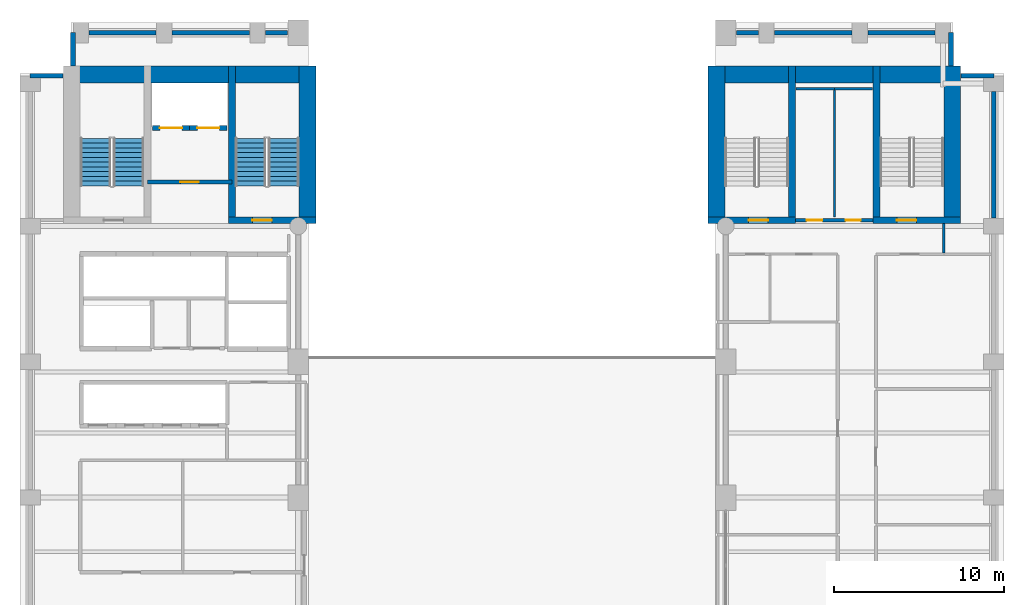
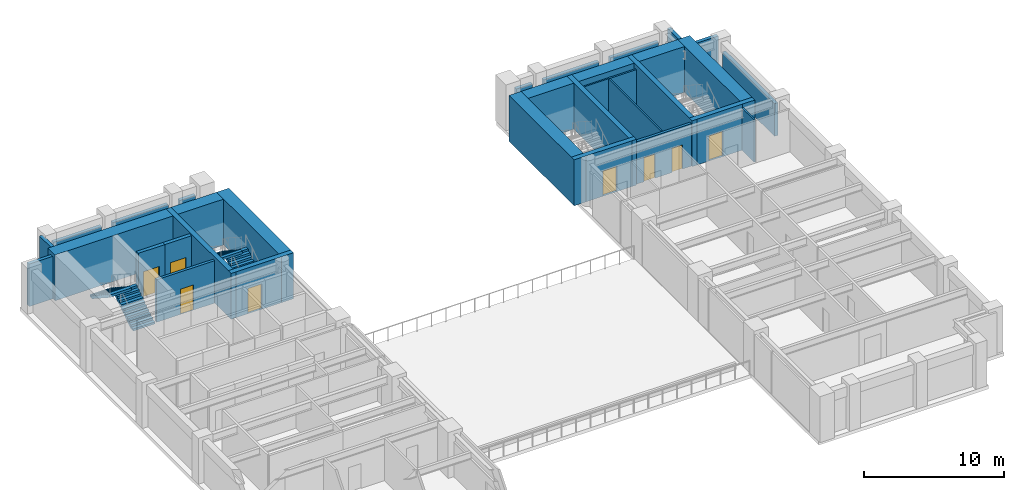
# One storey, part 6 of 10: 30 walls, 8 doors, 4 stair flights, 8 openings, 2 elements without a shape of their own.
"""IFC4 building model written with IfcOpenShell, lengths in metres."""

import ifcopenshell
import ifcopenshell.guid

model = None  # the IFC model being written
_history = None  # IfcOwnerHistory: only IFC2X3 demands one
_inside = {}  # id of a spatial element -> (the spatial element, [elements in it])
_under = {}  # id of a project, library or spatial element -> (it, [spatial elements below it])
_declared = {}  # id of a project -> (the project, [libraries it declares])
_typed = {}  # id of a type object -> (the type object, [elements of that type])
_made_of = {}  # id of a material, layer set ... -> (it, [elements and type objects made of it])


def new_model(schema):
    """Start an empty IFC model of exactly this schema.

    Asked for "IFC4X3", IfcOpenShell would pick the latest addendum, in which some entities
    have other attributes; the version numbers below select the first issue.
    IFC2X3 requires an IfcOwnerHistory on every rooted entity: one is made here for all.
    """
    global model, _history
    if schema == "IFC4X3":
        model = ifcopenshell.file(schema_version=(4, 3, 0, 0))
    else:
        model = ifcopenshell.file(schema=schema)
    _inside.clear()
    _under.clear()
    _declared.clear()
    _typed.clear()
    _made_of.clear()
    _history = None
    if model.schema == "IFC2X3":
        org = make("IfcOrganization", Name="unknown")
        user = make(
            "IfcPersonAndOrganization",
            ThePerson=make("IfcPerson", FamilyName="unknown"),
            TheOrganization=org,
        )
        app = make(
            "IfcApplication",
            ApplicationDeveloper=org,
            Version="unknown",
            ApplicationFullName="unknown",
            ApplicationIdentifier="unknown",
        )
        _history = make(
            "IfcOwnerHistory",
            OwningUser=user,
            OwningApplication=app,
            ChangeAction="ADDED",
            CreationDate=0,
        )
    return model


def make(cls, **values):
    """One entity of the class cls with the attributes given. An attribute that is None is left unset."""
    return model.create_entity(
        cls, **{name: value for name, value in values.items() if value is not None}
    )


def rooted(cls, **values):
    """An entity with a GlobalId (a new one), such as an element, a storey or a relation."""
    return make(cls, GlobalId=ifcopenshell.guid.new(), OwnerHistory=_history, **values)


def si_unit(unit_type, name, prefix=None):
    """IfcSIUnit, for example si_unit("LENGTHUNIT", "METRE", prefix="MILLI")."""
    return make("IfcSIUnit", UnitType=unit_type, Prefix=prefix, Name=name)


def assignment(units):
    """IfcUnitAssignment: the units of a project."""
    return None if units is None else make("IfcUnitAssignment", Units=units)


def point(xyz):
    """IfcCartesianPoint."""
    return None if xyz is None else make("IfcCartesianPoint", Coordinates=xyz)


def direction(xyz):
    """IfcDirection."""
    return None if xyz is None else make("IfcDirection", DirectionRatios=xyz)


def frame(location, z_axis=None, x_axis=None):
    """IfcAxis2Placement3D, a coordinate frame: its origin and axes. An axis left out is left unset."""
    return make(
        "IfcAxis2Placement3D",
        Location=point(location),
        Axis=direction(z_axis),
        RefDirection=direction(x_axis),
    )


def frame_2d(location, x_axis=None):
    """IfcAxis2Placement2D, a coordinate frame in the plane: its origin and x axis."""
    return make(
        "IfcAxis2Placement2D", Location=point(location), RefDirection=direction(x_axis)
    )


def origin():
    """The frame at (0, 0, 0) with its axes left unset."""
    return frame((0.0, 0.0, 0.0))


def place(relative_to, where):
    """IfcLocalPlacement: puts the frame where relative to a parent placement (None: the world)."""
    return make(
        "IfcLocalPlacement", PlacementRelTo=relative_to, RelativePlacement=where
    )


def context(
    kind, dimensions, precision=None, world=None, true_north=None, identifier=None
):
    """IfcGeometricRepresentationContext, for example the 3D "Model" context."""
    return make(
        "IfcGeometricRepresentationContext",
        ContextIdentifier=identifier,
        ContextType=kind,
        CoordinateSpaceDimension=dimensions,
        Precision=precision,
        WorldCoordinateSystem=world,
        TrueNorth=true_north,
    )


def subcontext(parent, identifier, kind, view, scale=None):
    """IfcGeometricRepresentationSubContext, for example "Body" below "Model"."""
    return make(
        "IfcGeometricRepresentationSubContext",
        ContextIdentifier=identifier,
        ContextType=kind,
        ParentContext=parent,
        TargetScale=scale,
        TargetView=view,
    )


def project(units=None, contexts=None):
    """IfcProject with its units and contexts."""
    return rooted(
        "IfcProject",
        Name="project",
        RepresentationContexts=contexts,
        UnitsInContext=assignment(units),
    )


def spatial(cls, under=None, at=None, **own):
    """A site, building, storey or space (cls), placed at a placement, below another one or the project."""
    s = rooted(cls, ObjectPlacement=at, **own)
    if under is not None:
        _under.setdefault(under.id(), (under, []))[1].append(s)
    return s


def polyline(points):
    """IfcPolyline through the points."""
    return make("IfcPolyline", Points=[point(p) for p in points])


def profile(cls, at=None, kind="AREA", **sizes):
    """A parametric profile (cls). Its sizes go by their IFC names, for example OverallWidth=200.0."""
    return make(cls, ProfileType=kind, Position=at, **sizes)


def rectangle(**sizes):
    """IfcRectangleProfileDef."""
    return profile("IfcRectangleProfileDef", **sizes)


def outline(outer, holes=None, kind="AREA"):
    """IfcArbitraryClosedProfileDef: a profile drawn as a closed curve; with holes, ...WithVoids."""
    if holes is None:
        return make("IfcArbitraryClosedProfileDef", ProfileType=kind, OuterCurve=outer)
    return make(
        "IfcArbitraryProfileDefWithVoids",
        ProfileType=kind,
        OuterCurve=outer,
        InnerCurves=holes,
    )


def extrude(swept, where, along, depth):
    """IfcExtrudedAreaSolid: the profile swept, set in the frame where, extruded along a direction by depth."""
    return make(
        "IfcExtrudedAreaSolid",
        SweptArea=swept,
        Position=where,
        ExtrudedDirection=direction(along),
        Depth=depth,
    )


def shape(context_of_items, identifier, shape_type, items):
    """IfcShapeRepresentation: the items that make up one representation, for example the "Body"."""
    return make(
        "IfcShapeRepresentation",
        ContextOfItems=context_of_items,
        RepresentationIdentifier=identifier,
        RepresentationType=shape_type,
        Items=items,
    )


def material(Name=None, Category=None):
    """IfcMaterial."""
    return make("IfcMaterial", Name=Name, Category=Category)


def layer(
    of_material, thickness, ventilated=None, Name=None, Category=None, Priority=None
):
    """IfcMaterialLayer: one layer of a wall or slab, of a material (None: an air gap)."""
    return make(
        "IfcMaterialLayer",
        Material=of_material,
        LayerThickness=thickness,
        IsVentilated=ventilated,
        Name=Name,
        Category=Category,
        Priority=Priority,
    )


def layer_set(layers, Name=None):
    """IfcMaterialLayerSet."""
    return make("IfcMaterialLayerSet", MaterialLayers=layers, LayerSetName=Name)


def made_of(thing, what):
    """Note that an element or type object is made of a material, layer set ...; save() writes the relation."""
    if what is not None:
        _made_of.setdefault(what.id(), (what, []))[1].append(thing)
    return thing


def type_object(cls, material=None, **own):
    """A type object (cls), such as IfcWallType, which elements share."""
    return made_of(rooted(cls, **own), material)


def element(
    cls,
    number,
    at=None,
    inside=None,
    cuts=None,
    type_object=None,
    material=None,
    context=None,
    identifier="Body",
    shape_type=None,
    held_by="IfcProductDefinitionShape",
    body=None,
    shapes=None,
    **own,
):
    """One element of the class cls, such as IfcWall. Its Tag is "e" and its number.

    at: its placement. inside: the storey or other place that contains it. cuts: it is an
    opening in that element (IfcRelVoidsElement). A single representation is given by context,
    identifier, shape_type and body (its items); several are given by shapes. held_by: the class
    of the entity that holds the representations. save() writes the other relations.
    """
    e = rooted(cls, Tag="e%d" % number, ObjectPlacement=at, **own)
    if body is not None:
        shapes = [shape(context, identifier, shape_type, body)]
    if shapes is not None:
        e.Representation = make(held_by, Representations=shapes)
    if inside is not None:
        _inside.setdefault(inside.id(), (inside, []))[1].append(e)
    if cuts is not None:
        rooted(
            "IfcRelVoidsElement", RelatingBuildingElement=cuts, RelatedOpeningElement=e
        )
    if type_object is not None:
        _typed.setdefault(type_object.id(), (type_object, []))[1].append(e)
    return made_of(e, material)


def fill(opening, filler):
    """IfcRelFillsElement: the door or window that sits in an opening."""
    return rooted(
        "IfcRelFillsElement",
        RelatingOpeningElement=opening,
        RelatedBuildingElement=filler,
    )


def aggregate(whole, parts):
    """IfcRelAggregates: a whole, such as a stair, and the parts it consists of."""
    return rooted("IfcRelAggregates", RelatingObject=whole, RelatedObjects=parts)


def save(model, path):
    """Write the relations noted so far, then the file.

    IfcRelAggregates (storeys below a building ...), IfcRelContainedInSpatialStructure (elements
    in a storey), IfcRelDefinesByType, IfcRelAssociatesMaterial and IfcRelDeclares: one each for
    every whole, place, type object, material and project.
    """
    for whole, parts in _under.values():
        aggregate(whole, parts)
    for where, things in _inside.values():
        rooted(
            "IfcRelContainedInSpatialStructure",
            RelatedElements=things,
            RelatingStructure=where,
        )
    for kind, things in _typed.values():
        rooted("IfcRelDefinesByType", RelatedObjects=things, RelatingType=kind)
    for what, things in _made_of.values():
        rooted("IfcRelAssociatesMaterial", RelatedObjects=things, RelatingMaterial=what)
    for by, libraries in _declared.values():
        rooted("IfcRelDeclares", RelatingContext=by, RelatedDefinitions=libraries)
    model.write(path)


model = new_model("IFC4")

# Units and contexts
model_context = context("Model", 3, precision=1e-05, world=origin(), true_north=direction((0.0, 1.0)))
body_context = subcontext(model_context, "Body", "Model", "MODEL_VIEW")
ifc_project = project(units=[si_unit("LENGTHUNIT", "METRE"), si_unit("AREAUNIT", "SQUARE_METRE"), si_unit("VOLUMEUNIT", "CUBIC_METRE"), si_unit("PLANEANGLEUNIT", "RADIAN"), si_unit("MASSUNIT", "GRAM", prefix="KILO")], contexts=[model_context])

# Site, building, storey
site_placement = place(None, origin())
site = spatial("IfcSite", under=ifc_project, at=site_placement, CompositionType="ELEMENT")
building_placement = place(site_placement, origin())
building = spatial("IfcBuilding", under=site, at=building_placement, Name="Sulina Concourse Tower", CompositionType="ELEMENT")
storey_placement = place(building_placement, frame((0.0, 0.0, 30.60009765625)))
storey = spatial("IfcBuildingStorey", under=building, at=storey_placement, Name="L07", CompositionType="ELEMENT", Elevation=30.60009765625)

# Wall, opening, door
ifc_material_1 = material(Name="Concrete C50/60", Category="concrete")
ifc_layer_1 = layer(ifc_material_1, 0.300048828125)
ifc_layer_set_1 = layer_set([ifc_layer_1], Name="Concrete C50/60")
wall_type_1 = type_object("IfcWallType", Name="Core Lift Hoistway Wall 300mm", PredefinedType="SOLIDWALL", material=ifc_layer_set_1)
wall_1_placement = place(storey_placement, frame((10.0, 39.780029296875, 0.0), z_axis=(0.0, 0.0, 1.0), x_axis=(-1.0, 0.0, 0.0)))
wall_1 = element("IfcWall", 1, at=wall_1_placement, inside=storey, type_object=wall_type_1, Name="L07 hoistway enclosure wall FFL-1", PredefinedType="SOLIDWALL", context=body_context, shape_type="SweptSolid", body=[
    extrude(rectangle(XDim=2.199951171875, YDim=0.300048828125, at=frame_2d((1.10009765625, 0.0))), origin(), (0.0, 0.0, 1.0), 4.0),
])
opening_1_placement = place(wall_1_placement, frame((0.449951171875, 0.0, 0.0)))
opening_1 = element("IfcOpeningElement", 2, at=opening_1_placement, cuts=wall_1, Name="Opening LD-02", PredefinedType="OPENING", context=body_context, shape_type="SweptSolid", body=[
    extrude(rectangle(XDim=1.300048828125, YDim=2.25, at=frame_2d((0.64990234375, 1.125))), frame((0.0, 0.159912109375, 0.0), z_axis=(0.0, -1.0, 0.0), x_axis=(1.0, 0.0, 0.0)), (0.0, 0.0, 1.0), 0.320068359375),
])
ifc_material_2 = material(Name="Stainless steel lift landing door", Category="steel")
ifc_layer_2 = layer(ifc_material_2, 0.050048828125)
ifc_layer_set_2 = layer_set([ifc_layer_2], Name="Stainless steel lift landing door")
door_type_1 = type_object("IfcDoorType", Name="Firefighting Lift Sliding Landing Door 1300x2250", OperationType="SLIDING_TO_RIGHT", PredefinedType="DOOR", material=ifc_layer_set_2)
door_1_placement = place(opening_1_placement, origin())
door_1 = element("IfcDoor", 3, at=door_1_placement, inside=storey, type_object=door_type_1, Name="L07 lift landing sliding door FFL-1", OperationType="SLIDING_TO_LEFT", OverallHeight=2.25, OverallWidth=1.300048828125, PredefinedType="DOOR", context=body_context, shape_type="SweptSolid", body=[
    extrude(rectangle(XDim=1.300048828125, YDim=2.25, at=frame_2d((0.64990234375, 1.125))), frame((0.0, 0.02490234375, 0.0), z_axis=(0.0, -1.0, 0.0), x_axis=(1.0, 0.0, 0.0)), (0.0, 0.0, 1.0), 0.050048828125),
])
fill(opening_1, door_1)

wall_2_placement = place(storey_placement, frame((12.199951171875, 39.780029296875, 0.0), z_axis=(0.0, 0.0, 1.0), x_axis=(-1.0, 0.0, 0.0)))
wall_2 = element("IfcWall", 4, at=wall_2_placement, inside=storey, type_object=wall_type_1, Name="L07 hoistway enclosure wall FFL-2", PredefinedType="SOLIDWALL", context=body_context, shape_type="SweptSolid", body=[
    extrude(rectangle(XDim=2.199951171875, YDim=0.300048828125, at=frame_2d((1.10009765625, 0.0))), origin(), (0.0, 0.0, 1.0), 4.0),
])
opening_2_placement = place(wall_2_placement, frame((0.449951171875, 0.0, 0.0)))
opening_2 = element("IfcOpeningElement", 5, at=opening_2_placement, cuts=wall_2, Name="Opening LD-02", PredefinedType="OPENING", context=body_context, shape_type="SweptSolid", body=[
    extrude(rectangle(XDim=1.300048828125, YDim=2.25, at=frame_2d((0.64990234375, 1.125))), frame((0.0, 0.159912109375, 0.0), z_axis=(0.0, -1.0, 0.0), x_axis=(1.0, 0.0, 0.0)), (0.0, 0.0, 1.0), 0.320068359375),
])
door_2_placement = place(opening_2_placement, origin())
door_2 = element("IfcDoor", 6, at=door_2_placement, inside=storey, type_object=door_type_1, Name="L07 lift landing sliding door FFL-2", OperationType="SLIDING_TO_RIGHT", OverallHeight=2.25, OverallWidth=1.300048828125, PredefinedType="DOOR", context=body_context, shape_type="SweptSolid", body=[
    extrude(rectangle(XDim=1.300048828125, YDim=2.25, at=frame_2d((0.64990234375, 1.125))), frame((0.0, 0.02490234375, 0.0), z_axis=(0.0, -1.0, 0.0), x_axis=(1.0, 0.0, 0.0)), (0.0, 0.0, 1.0), 0.050048828125),
])
fill(opening_2, door_2)

ifc_material_3 = material(Name="Gypsum board on steel stud", Category="steel")
ifc_layer_3 = layer(ifc_material_3, 0.219970703125)
ifc_layer_set_3 = layer_set([ifc_layer_3], Name="Gypsum board on steel stud")
wall_type_2 = type_object("IfcWallType", Name="Fire-Rated Lobby & Compartment Wall 220mm", PredefinedType="PARTITIONING", material=ifc_layer_set_3)
wall_3_placement = place(storey_placement, frame((7.510009765625, 36.60009765625, 0.0), z_axis=(0.0, 0.0, 1.0), x_axis=(1.0, 0.0, 0.0)))
wall_3 = element("IfcWall", 7, at=wall_3_placement, inside=storey, type_object=wall_type_2, Name="L07 firefighting lobby south fire wall", PredefinedType="PARTITIONING", context=body_context, shape_type="SweptSolid", body=[
    extrude(rectangle(XDim=4.97998046875, YDim=0.219970703125, at=frame_2d((2.489990234375, 0.0))), origin(), (0.0, 0.0, 1.0), 3.699951171875),
])
opening_3_placement = place(wall_3_placement, frame((1.93994140625, 0.0, 0.0)))
opening_3 = element("IfcOpeningElement", 8, at=opening_3_placement, cuts=wall_3, Name="Opening DR-47", PredefinedType="OPENING", context=body_context, shape_type="SweptSolid", body=[
    extrude(rectangle(XDim=1.10009765625, YDim=2.199951171875, at=frame_2d((0.550048828125, 1.10009765625))), frame((0.0, 0.119873046875, 0.0), z_axis=(0.0, -1.0, 0.0), x_axis=(1.0, 0.0, 0.0)), (0.0, 0.0, 1.0), 0.239990234375),
])
ifc_material_4 = material(Name="Galvanised steel acoustic fire leaf", Category="steel")
ifc_layer_4 = layer(ifc_material_4, 0.054931640625)
ifc_layer_set_4 = layer_set([ifc_layer_4], Name="Galvanised steel acoustic fire leaf")
door_type_2 = type_object("IfcDoorType", Name="Firefighting Lobby Fire Door 1100x2200", OperationType="NOTDEFINED", PredefinedType="DOOR", material=ifc_layer_set_4)
door_3_placement = place(opening_3_placement, origin())
door_3 = element("IfcDoor", 9, at=door_3_placement, inside=storey, type_object=door_type_2, Name="L07 firefighting lobby fire door", OperationType="SINGLE_SWING_RIGHT", OverallHeight=2.199951171875, OverallWidth=1.10009765625, PredefinedType="DOOR", context=body_context, shape_type="SweptSolid", body=[
    extrude(rectangle(XDim=1.10009765625, YDim=2.199951171875, at=frame_2d((0.550048828125, 1.10009765625))), frame((0.0, 0.02490234375, 0.0), z_axis=(0.0, -1.0, 0.0), x_axis=(1.0, 0.0, 0.0)), (0.0, 0.0, 1.0), 0.050048828125),
])
fill(opening_3, door_3)

# Wall, openings, doors
wall_4_placement = place(storey_placement, frame((45.719970703125, 34.35009765625, 0.0), z_axis=(0.0, 0.0, 1.0), x_axis=(1.0, 0.0, 0.0)))
wall_4 = element("IfcWall", 10, at=wall_4_placement, inside=storey, type_object=wall_type_2, Name="L07 east core south lobby wall", PredefinedType="PARTITIONING", context=body_context, shape_type="SweptSolid", body=[
    extrude(rectangle(XDim=4.56005859375, YDim=0.219970703125, at=frame_2d((2.280029296875, 0.0))), origin(), (0.0, 0.0, 1.0), 3.699951171875),
])
opening_4_placement = place(wall_4_placement, frame((0.64990234375, 0.0, 0.0)))
opening_4 = element("IfcOpeningElement", 11, at=opening_4_placement, cuts=wall_4, Name="Opening DR-61", PredefinedType="OPENING", context=body_context, shape_type="SweptSolid", body=[
    extrude(rectangle(XDim=0.919921875, YDim=2.10009765625, at=frame_2d((0.4599609375, 1.050048828125))), frame((0.0, 0.119873046875, 0.0), z_axis=(0.0, -1.0, 0.0), x_axis=(1.0, 0.0, 0.0)), (0.0, 0.0, 1.0), 0.239990234375),
])
opening_5_placement = place(wall_4_placement, frame((2.949951171875, 0.0, 0.0)))
opening_5 = element("IfcOpeningElement", 12, at=opening_5_placement, cuts=wall_4, Name="Opening DR-38", PredefinedType="OPENING", context=body_context, shape_type="SweptSolid", body=[
    extrude(rectangle(XDim=0.8798828125, YDim=2.10009765625, at=frame_2d((0.43994140625, 1.050048828125))), frame((0.0, 0.119873046875, 0.0), z_axis=(0.0, -1.0, 0.0), x_axis=(1.0, 0.0, 0.0)), (0.0, 0.0, 1.0), 0.239990234375),
])
ifc_material_5 = material(Name="Oak-veneered fire door leaf")
ifc_layer_5 = layer(ifc_material_5, 0.050048828125)
ifc_layer_set_5 = layer_set([ifc_layer_5], Name="Oak-veneered fire door leaf")
door_type_3 = type_object("IfcDoorType", Name="Accessible WC Door 920x2100", OperationType="NOTDEFINED", PredefinedType="DOOR", material=ifc_layer_set_5)
door_4_placement = place(opening_4_placement, origin())
door_4 = element("IfcDoor", 13, at=door_4_placement, inside=storey, type_object=door_type_3, Name="L07 east core accessible wc door", OperationType="SINGLE_SWING_RIGHT", OverallHeight=2.10009765625, OverallWidth=0.919921875, PredefinedType="DOOR", context=body_context, shape_type="SweptSolid", body=[
    extrude(rectangle(XDim=0.919921875, YDim=2.10009765625, at=frame_2d((0.4599609375, 1.050048828125))), frame((0.0, 0.02490234375, 0.0), z_axis=(0.0, -1.0, 0.0), x_axis=(1.0, 0.0, 0.0)), (0.0, 0.0, 1.0), 0.050048828125),
])
fill(opening_4, door_4)
ifc_material_6 = material(Name="Galvanised steel acoustic fire leaf", Category="steel")
ifc_layer_6 = layer(ifc_material_6, 0.050048828125)
ifc_layer_set_6 = layer_set([ifc_layer_6], Name="Galvanised steel acoustic fire leaf")
door_type_4 = type_object("IfcDoorType", Name="Service Riser Fire Door 880x2100", OperationType="NOTDEFINED", PredefinedType="DOOR", material=ifc_layer_set_6)
door_5_placement = place(opening_5_placement, origin())
door_5 = element("IfcDoor", 14, at=door_5_placement, inside=storey, type_object=door_type_4, Name="L07 east core store door", OperationType="SINGLE_SWING_LEFT", OverallHeight=2.10009765625, OverallWidth=0.8798828125, PredefinedType="DOOR", context=body_context, shape_type="SweptSolid", body=[
    extrude(rectangle(XDim=0.8798828125, YDim=2.10009765625, at=frame_2d((0.43994140625, 1.050048828125))), frame((0.0, 0.02490234375, 0.0), z_axis=(0.0, -1.0, 0.0), x_axis=(1.0, 0.0, 0.0)), (0.0, 0.0, 1.0), 0.050048828125),
])
fill(opening_5, door_5)

# Walls
ifc_material_7 = material(Name="Gypsum board on steel stud", Category="steel")
ifc_layer_7 = layer(ifc_material_7, 0.14990234375)
ifc_layer_set_7 = layer_set([ifc_layer_7], Name="Gypsum board on steel stud")
wall_type_3 = type_object("IfcWallType", Name="Inter-Tenancy Acoustic Partition 150mm", PredefinedType="PARTITIONING", material=ifc_layer_set_7)
wall_5_placement = place(storey_placement, frame((48.0, 42.10009765625, 0.0), z_axis=(0.0, 0.0, 1.0), x_axis=(1.0, 0.0, 0.0)))
element("IfcWall", 15, at=wall_5_placement, inside=storey, type_object=wall_type_3, Name="L07 interior partition 028", PredefinedType="PARTITIONING", context=body_context, shape_type="SweptSolid", body=[
    extrude(rectangle(XDim=2.25, YDim=0.14990234375, at=frame_2d((1.125, 0.0))), origin(), (0.0, 0.0, 1.0), 3.699951171875),
])
wall_6_placement = place(storey_placement, frame((54.449951171875, 32.425048828125, 0.0), z_axis=(0.0, 0.0, 1.0), x_axis=(0.0, 1.0, 0.0)))
element("IfcWall", 16, at=wall_6_placement, inside=storey, type_object=wall_type_3, Name="L07 interior partition 054", PredefinedType="PARTITIONING", context=body_context, shape_type="SweptSolid", body=[
    extrude(rectangle(XDim=1.724853515625, YDim=0.14990234375, at=frame_2d((0.8623046875, 0.0))), origin(), (0.0, 0.0, 1.0), 3.699951171875),
])

# Wall, opening, door
ifc_material_8 = material(Name="Concrete C60/75", Category="concrete")
ifc_layer_8 = layer(ifc_material_8, 0.39990234375)
ifc_layer_set_8 = layer_set([ifc_layer_8], Name="Concrete C60/75")
wall_type_4 = type_object("IfcWallType", Name="Protected Stair Core Shear Wall 400mm", PredefinedType="SHEAR", material=ifc_layer_set_8)
wall_7_placement = place(storey_placement, frame((12.2900390625, 34.35009765625, 0.0), z_axis=(0.0, 0.0, 1.0), x_axis=(1.0, 0.0, 0.0)))
wall_7 = element("IfcWall", 17, at=wall_7_placement, inside=storey, type_object=wall_type_4, Name="L07 west core shear wall CW-WS2", PredefinedType="SHEAR", context=body_context, shape_type="SweptSolid", body=[
    extrude(rectangle(XDim=5.159912109375, YDim=0.39990234375, at=frame_2d((2.580078125, 0.0))), origin(), (0.0, 0.0, 1.0), 4.0),
])
opening_6_placement = place(wall_7_placement, frame((1.39990234375, 0.0, 0.0)))
opening_6 = element("IfcOpeningElement", 18, at=opening_6_placement, cuts=wall_7, Name="Opening DR-60", PredefinedType="OPENING", context=body_context, shape_type="SweptSolid", body=[
    extrude(rectangle(XDim=1.14990234375, YDim=2.199951171875, at=frame_2d((0.574951171875, 1.10009765625))), frame((0.0, 0.2099609375, 0.0), z_axis=(0.0, -1.0, 0.0), x_axis=(1.0, 0.0, 0.0)), (0.0, 0.0, 1.0), 0.419921875),
])
ifc_material_9 = material(Name="Galvanised steel acoustic fire leaf", Category="steel")
ifc_layer_9 = layer(ifc_material_9, 0.054931640625)
ifc_layer_set_9 = layer_set([ifc_layer_9], Name="Galvanised steel acoustic fire leaf")
door_type_5 = type_object("IfcDoorType", Name="Protected Exit Stair Fire Door 1150x2200", OperationType="NOTDEFINED", PredefinedType="DOOR", material=ifc_layer_set_9)
door_6_placement = place(opening_6_placement, origin())
door_6 = element("IfcDoor", 19, at=door_6_placement, inside=storey, type_object=door_type_5, Name="L07 stair ST-2 lobby fire door", OperationType="SINGLE_SWING_LEFT", OverallHeight=2.199951171875, OverallWidth=1.14990234375, PredefinedType="DOOR", context=body_context, shape_type="SweptSolid", body=[
    extrude(rectangle(XDim=1.14990234375, YDim=2.199951171875, at=frame_2d((0.574951171875, 1.10009765625))), frame((0.0, 0.02490234375, 0.0), z_axis=(0.0, -1.0, 0.0), x_axis=(1.0, 0.0, 0.0)), (0.0, 0.0, 1.0), 0.050048828125),
])
fill(opening_6, door_6)

# Wall
wall_8_placement = place(storey_placement, frame((12.489990234375, 34.14990234375, 0.0), z_axis=(0.0, 0.0, 1.0), x_axis=(0.0, 1.0, 0.0)))
element("IfcWall", 20, at=wall_8_placement, inside=storey, type_object=wall_type_4, Name="L07 west core shear wall SW-ST2", PredefinedType="SHEAR", context=body_context, shape_type="SweptSolid", body=[
    extrude(rectangle(XDim=9.280029296875, YDim=0.39990234375, at=frame_2d((4.64013671875, 0.0))), origin(), (0.0, 0.0, 1.0), 4.0),
])

# Wall, opening, door
wall_9_placement = place(storey_placement, frame((40.550048828125, 34.35009765625, 0.0), z_axis=(0.0, 0.0, 1.0), x_axis=(1.0, 0.0, 0.0)))
wall_9 = element("IfcWall", 21, at=wall_9_placement, inside=storey, type_object=wall_type_4, Name="L07 east core shear wall CW-ES1", PredefinedType="SHEAR", context=body_context, shape_type="SweptSolid", body=[
    extrude(rectangle(XDim=5.159912109375, YDim=0.39990234375, at=frame_2d((2.580078125, 0.0))), origin(), (0.0, 0.0, 1.0), 4.0),
])
opening_7_placement = place(wall_9_placement, frame((2.39990234375, 0.0, 0.0)))
opening_7 = element("IfcOpeningElement", 22, at=opening_7_placement, cuts=wall_9, Name="Opening DR-60", PredefinedType="OPENING", context=body_context, shape_type="SweptSolid", body=[
    extrude(rectangle(XDim=1.14990234375, YDim=2.199951171875, at=frame_2d((0.574951171875, 1.10009765625))), frame((0.0, 0.2099609375, 0.0), z_axis=(0.0, -1.0, 0.0), x_axis=(1.0, 0.0, 0.0)), (0.0, 0.0, 1.0), 0.419921875),
])
door_7_placement = place(opening_7_placement, origin())
door_7 = element("IfcDoor", 23, at=door_7_placement, inside=storey, type_object=door_type_5, Name="L07 stair ST-3 south lobby fire door", OperationType="SINGLE_SWING_LEFT", OverallHeight=2.199951171875, OverallWidth=1.14990234375, PredefinedType="DOOR", context=body_context, shape_type="SweptSolid", body=[
    extrude(rectangle(XDim=1.14990234375, YDim=2.199951171875, at=frame_2d((0.574951171875, 1.10009765625))), frame((0.0, 0.02490234375, 0.0), z_axis=(0.0, -1.0, 0.0), x_axis=(1.0, 0.0, 0.0)), (0.0, 0.0, 1.0), 0.050048828125),
])
fill(opening_7, door_7)

# Wall
wall_10_placement = place(storey_placement, frame((45.510009765625, 34.14990234375, 0.0), z_axis=(0.0, 0.0, 1.0), x_axis=(0.0, 1.0, 0.0)))
element("IfcWall", 24, at=wall_10_placement, inside=storey, type_object=wall_type_4, Name="L07 east core shear wall SW-ST3", PredefinedType="SHEAR", context=body_context, shape_type="SweptSolid", body=[
    extrude(rectangle(XDim=9.280029296875, YDim=0.39990234375, at=frame_2d((4.64013671875, 0.0))), origin(), (0.0, 0.0, 1.0), 4.0),
])

# Wall, opening, door
wall_11_placement = place(storey_placement, frame((50.2900390625, 34.35009765625, 0.0), z_axis=(0.0, 0.0, 1.0), x_axis=(1.0, 0.0, 0.0)))
wall_11 = element("IfcWall", 25, at=wall_11_placement, inside=storey, type_object=wall_type_4, Name="L07 east core shear wall CW-ES2", PredefinedType="SHEAR", context=body_context, shape_type="SweptSolid", body=[
    extrude(rectangle(XDim=5.159912109375, YDim=0.39990234375, at=frame_2d((2.580078125, 0.0))), origin(), (0.0, 0.0, 1.0), 4.0),
])
opening_8_placement = place(wall_11_placement, frame((1.39990234375, 0.0, 0.0)))
opening_8 = element("IfcOpeningElement", 26, at=opening_8_placement, cuts=wall_11, Name="Opening DR-60", PredefinedType="OPENING", context=body_context, shape_type="SweptSolid", body=[
    extrude(rectangle(XDim=1.14990234375, YDim=2.199951171875, at=frame_2d((0.574951171875, 1.10009765625))), frame((0.0, 0.2099609375, 0.0), z_axis=(0.0, -1.0, 0.0), x_axis=(1.0, 0.0, 0.0)), (0.0, 0.0, 1.0), 0.419921875),
])
door_8_placement = place(opening_8_placement, origin())
door_8 = element("IfcDoor", 27, at=door_8_placement, inside=storey, type_object=door_type_5, Name="L07 stair ST-4 south lobby fire door", OperationType="SINGLE_SWING_RIGHT", OverallHeight=2.199951171875, OverallWidth=1.14990234375, PredefinedType="DOOR", context=body_context, shape_type="SweptSolid", body=[
    extrude(rectangle(XDim=1.14990234375, YDim=2.199951171875, at=frame_2d((0.574951171875, 1.10009765625))), frame((0.0, 0.02490234375, 0.0), z_axis=(0.0, -1.0, 0.0), x_axis=(1.0, 0.0, 0.0)), (0.0, 0.0, 1.0), 0.050048828125),
])
fill(opening_8, door_8)

# Walls
wall_12_placement = place(storey_placement, frame((50.489990234375, 34.14990234375, 0.0), z_axis=(0.0, 0.0, 1.0), x_axis=(0.0, 1.0, 0.0)))
element("IfcWall", 28, at=wall_12_placement, inside=storey, type_object=wall_type_4, Name="L07 east core shear wall SW-ST4", PredefinedType="SHEAR", context=body_context, shape_type="SweptSolid", body=[
    extrude(rectangle(XDim=9.280029296875, YDim=0.39990234375, at=frame_2d((4.64013671875, 0.0))), origin(), (0.0, 0.0, 1.0), 4.0),
])
ifc_material_10 = material(Name="Concrete C80/95", Category="concrete")
ifc_layer_10 = layer(ifc_material_10, 1.0)
ifc_layer_set_10 = layer_set([ifc_layer_10], Name="Concrete C80/95")
wall_type_5 = type_object("IfcWallType", Name="Rear Core Shear Wall 1000mm", PredefinedType="SHEAR", material=ifc_layer_set_10)
wall_13_placement = place(storey_placement, frame((2.550048828125, 42.929931640625, 0.0), z_axis=(0.0, 0.0, 1.0), x_axis=(1.0, 0.0, 0.0)))
element("IfcWall", 29, at=wall_13_placement, inside=storey, type_object=wall_type_5, Name="L07 west core shear wall CW-WN", PredefinedType="SHEAR", context=body_context, shape_type="SweptSolid", body=[
    extrude(rectangle(XDim=14.89990234375, YDim=1.0, at=frame_2d((7.449951171875, 0.0))), origin(), (0.0, 0.0, 1.0), 4.0),
])
wall_14_placement = place(storey_placement, frame((16.949951171875, 34.14990234375, 0.0), z_axis=(0.0, 0.0, 1.0), x_axis=(0.0, 1.0, 0.0)))
element("IfcWall", 30, at=wall_14_placement, inside=storey, type_object=wall_type_5, Name="L07 west core shear wall CW-WE", PredefinedType="SHEAR", context=body_context, shape_type="SweptSolid", body=[
    extrude(rectangle(XDim=9.280029296875, YDim=1.0, at=frame_2d((4.64013671875, 0.0))), origin(), (0.0, 0.0, 1.0), 4.0),
])
wall_15_placement = place(storey_placement, frame((40.550048828125, 42.929931640625, 0.0), z_axis=(0.0, 0.0, 1.0), x_axis=(1.0, 0.0, 0.0)))
element("IfcWall", 31, at=wall_15_placement, inside=storey, type_object=wall_type_5, Name="L07 east core shear wall CW-EN", PredefinedType="SHEAR", context=body_context, shape_type="SweptSolid", body=[
    extrude(rectangle(XDim=14.89990234375, YDim=1.0, at=frame_2d((7.449951171875, 0.0))), origin(), (0.0, 0.0, 1.0), 4.0),
])
for number, where, z_axis, x_axis, name in (
    (32, (41.050048828125, 34.14990234375, 0.0), (0.0, 0.0, 1.0), (0.0, 1.0, 0.0), "L07 east core shear wall CW-EW"),
    (33, (54.949951171875, 34.14990234375, 0.0), (0.0, 0.0, 1.0), (0.0, 1.0, 0.0), "L07 east core shear wall CW-EE"),
):
    element("IfcWall", number, at=place(storey_placement, frame(where, z_axis=z_axis, x_axis=x_axis)), inside=storey, type_object=wall_type_5, Name=name, PredefinedType="SHEAR", context=body_context, shape_type="SweptSolid", body=[
        extrude(rectangle(XDim=9.280029296875, YDim=1.0, at=frame_2d((4.64013671875, 0.0))), origin(), (0.0, 0.0, 1.0), 4.0),
    ])
ifc_material_11 = material(Name="Precast concrete C50/60", Category="concrete")
ifc_layer_11 = layer(ifc_material_11, 0.280029296875)
ifc_layer_set_11 = layer_set([ifc_layer_11], Name="Precast concrete C50/60")
wall_type_6 = type_object("IfcWallType", Name="Typical Precast Masonry-Frame Facade Wall 280mm", PredefinedType="SOLIDWALL", material=ifc_layer_set_11)
wall_16_placement = place(storey_placement, frame((4.070068359375, 45.39990234375, 0.0), z_axis=(0.0, 0.0, 1.0), x_axis=(1.0, 0.0, 0.0)))
element("IfcWall", 34, at=wall_16_placement, inside=storey, type_object=wall_type_6, Name="L07 exterior precast wall N1", PredefinedType="SOLIDWALL", context=body_context, shape_type="SweptSolid", body=[
    extrude(rectangle(XDim=3.9599609375, YDim=0.280029296875, at=frame_2d((1.97998046875, 0.0))), origin(), (0.0, 0.0, 1.0), 2.849853515625),
])
wall_17_placement = place(storey_placement, frame((8.969970703125, 45.39990234375, 0.0), z_axis=(0.0, 0.0, 1.0), x_axis=(1.0, 0.0, 0.0)))
element("IfcWall", 35, at=wall_17_placement, inside=storey, type_object=wall_type_6, Name="L07 exterior precast wall N2", PredefinedType="SOLIDWALL", context=body_context, shape_type="SweptSolid", body=[
    extrude(rectangle(XDim=4.56005859375, YDim=0.280029296875, at=frame_2d((2.280029296875, 0.0))), origin(), (0.0, 0.0, 1.0), 2.849853515625),
])
for number, where, z_axis, x_axis, name in (
    (36, (14.469970703125, 45.39990234375, 0.0), (0.0, 0.0, 1.0), (1.0, 0.0, 0.0), "L07 exterior precast wall N3"),
    (37, (42.219970703125, 45.39990234375, 0.0), (0.0, 0.0, 1.0), (1.0, 0.0, 0.0), "L07 exterior precast wall N5"),
):
    element("IfcWall", number, at=place(storey_placement, frame(where, z_axis=z_axis, x_axis=x_axis)), inside=storey, type_object=wall_type_6, Name=name, PredefinedType="SOLIDWALL", context=body_context, shape_type="SweptSolid", body=[
        extrude(rectangle(XDim=1.31005859375, YDim=0.280029296875, at=frame_2d((0.655029296875, 0.0))), origin(), (0.0, 0.0, 1.0), 2.849853515625),
    ])
wall_18_placement = place(storey_placement, frame((44.469970703125, 45.39990234375, 0.0), z_axis=(0.0, 0.0, 1.0), x_axis=(1.0, 0.0, 0.0)))
element("IfcWall", 38, at=wall_18_placement, inside=storey, type_object=wall_type_6, Name="L07 exterior precast wall N6", PredefinedType="SOLIDWALL", context=body_context, shape_type="SweptSolid", body=[
    extrude(rectangle(XDim=4.56005859375, YDim=0.280029296875, at=frame_2d((2.280029296875, 0.0))), origin(), (0.0, 0.0, 1.0), 2.849853515625),
])
wall_19_placement = place(storey_placement, frame((49.969970703125, 45.39990234375, 0.0), z_axis=(0.0, 0.0, 1.0), x_axis=(1.0, 0.0, 0.0)))
element("IfcWall", 39, at=wall_19_placement, inside=storey, type_object=wall_type_6, Name="L07 exterior precast wall N7", PredefinedType="SOLIDWALL", context=body_context, shape_type="SweptSolid", body=[
    extrude(rectangle(XDim=3.9599609375, YDim=0.280029296875, at=frame_2d((1.97998046875, 0.0))), origin(), (0.0, 0.0, 1.0), 2.849853515625),
])
wall_20_placement = place(storey_placement, frame((57.39990234375, 41.929931640625, 0.0), z_axis=(0.0, 0.0, 1.0), x_axis=(0.0, -1.0, 0.0)))
element("IfcWall", 40, at=wall_20_placement, inside=storey, type_object=wall_type_6, Name="L07 exterior precast wall E5", PredefinedType="SOLIDWALL", context=body_context, shape_type="SweptSolid", body=[
    extrude(rectangle(XDim=7.4599609375, YDim=0.280029296875, at=frame_2d((3.72998046875, 0.0))), origin(), (0.0, 0.0, 1.0), 2.849853515625),
])
wall_21_placement = place(storey_placement, frame((0.60009765625, 42.8701171875, 0.0), z_axis=(0.0, 0.0, 1.0), x_axis=(1.0, 0.0, 0.0)))
element("IfcWall", 41, at=wall_21_placement, inside=storey, type_object=wall_type_6, Name="L07 exterior precast wall CNW1", PredefinedType="SOLIDWALL", context=body_context, shape_type="SweptSolid", body=[
    extrude(rectangle(XDim=1.94482421875, YDim=0.280029296875, at=frame_2d((0.972412109375, 0.0))), origin(), (0.0, 0.0, 1.0), 3.699951171875),
])
for number, where, z_axis, x_axis, name in (
    (42, (3.1298828125, 43.43505859375, 0.0), (0.0, 0.0, 1.0), (0.0, 1.0, 0.0), "L07 exterior precast wall CNW2"),
    (43, (54.8701171875, 45.39990234375, 0.0), (0.0, 0.0, 1.0), (0.0, -1.0, 0.0), "L07 exterior precast wall CNE1"),
):
    element("IfcWall", number, at=place(storey_placement, frame(where, z_axis=z_axis, x_axis=x_axis)), inside=storey, type_object=wall_type_6, Name=name, PredefinedType="SOLIDWALL", context=body_context, shape_type="SweptSolid", body=[
        extrude(rectangle(XDim=1.96484375, YDim=0.280029296875, at=frame_2d((0.982421875, 0.0))), origin(), (0.0, 0.0, 1.0), 3.699951171875),
    ])
wall_22_placement = place(storey_placement, frame((55.455078125, 42.8701171875, 0.0), z_axis=(0.0, 0.0, 1.0), x_axis=(1.0, 0.0, 0.0)))
element("IfcWall", 44, at=wall_22_placement, inside=storey, type_object=wall_type_6, Name="L07 exterior precast wall CNE2", PredefinedType="SOLIDWALL", context=body_context, shape_type="SweptSolid", body=[
    extrude(rectangle(XDim=1.94482421875, YDim=0.280029296875, at=frame_2d((0.972412109375, 0.0))), origin(), (0.0, 0.0, 1.0), 3.699951171875),
])
ifc_material_12 = material(Name="Gypsum board on steel stud", Category="steel")
ifc_layer_12 = layer(ifc_material_12, 0.125)
ifc_layer_set_12 = layer_set([ifc_layer_12], Name="Gypsum board on steel stud")
wall_type_7 = type_object("IfcWallType", Name="Wet-Area Moisture-Resistant Partition 125mm", PredefinedType="PARTITIONING", material=ifc_layer_set_12)
wall_23_placement = place(storey_placement, frame((45.75, 42.10009765625, 0.0), z_axis=(0.0, 0.0, 1.0), x_axis=(1.0, 0.0, 0.0)))
element("IfcWall", 45, at=wall_23_placement, inside=storey, type_object=wall_type_7, Name="L07 interior partition 027", PredefinedType="PARTITIONING", context=body_context, shape_type="SweptSolid", body=[
    extrude(rectangle(XDim=2.25, YDim=0.125, at=frame_2d((1.125, 0.0))), origin(), (0.0, 0.0, 1.0), 3.699951171875),
])
wall_24_placement = place(storey_placement, frame((48.0, 34.550048828125, 0.0), z_axis=(0.0, 0.0, 1.0), x_axis=(0.0, 1.0, 0.0)))
element("IfcWall", 46, at=wall_24_placement, inside=storey, type_object=wall_type_7, Name="L07 interior partition 047", PredefinedType="PARTITIONING", context=body_context, shape_type="SweptSolid", body=[
    extrude(rectangle(XDim=7.474853515625, YDim=0.125, at=frame_2d((3.7373046875, 0.0))), origin(), (0.0, 0.0, 1.0), 3.699951171875),
])

# Stair, stair flights
ifc_material_13 = material(Name="Concrete C50/60", Category="concrete")
stair_type = type_object("IfcStairType", Name="Primary Core Dog-Leg Exit Stair 1800mm", PredefinedType="HALF_TURN_STAIR", material=ifc_material_13)
stair_1_placement = place(storey_placement, origin())
stair_1 = element("IfcStair", 47, at=stair_1_placement, inside=storey, type_object=stair_type, Name="L07 ST-1", PredefinedType="HALF_TURN_STAIR")
ifc_material_14 = material(Name="Concrete C50/60", Category="concrete")
stair_flight_type = type_object("IfcStairFlightType", Name="Primary Core Dog-Leg Exit Stair 1800mm Flight", PredefinedType="STRAIGHT", material=ifc_material_14)
stair_flight_1_placement = place(storey_placement, frame((6.405029296875, 36.375, 0.0), z_axis=(0.0, 0.0, 1.0), x_axis=(0.0, 1.0, 0.0)))
stair_flight_1 = element("IfcStairFlight", 48, at=stair_flight_1_placement, type_object=stair_flight_type, Name="ST-1 flight 1", NumberOfRisers=11, NumberOfTreads=10, PredefinedType="STRAIGHT", RiserHeight=0.181818182, TreadLength=0.28, context=body_context, shape_type="SweptSolid", body=[
    extrude(outline(polyline([(0.0, 0.0), (0.0, 0.181884765625), (0.280029296875, 0.181884765625), (0.280029296875, 0.363525390625), (0.56005859375, 0.363525390625), (0.56005859375, 0.54541015625), (0.840087890625, 0.54541015625), (0.840087890625, 0.727294921875), (1.1201171875, 0.727294921875), (1.1201171875, 0.9091796875), (1.39990234375, 0.9091796875), (1.39990234375, 1.0908203125), (1.679931640625, 1.0908203125), (1.679931640625, 1.272705078125), (1.9599609375, 1.272705078125), (1.9599609375, 1.45458984375), (2.239990234375, 1.45458984375), (2.239990234375, 1.636474609375), (2.52001953125, 1.636474609375), (2.52001953125, 1.818115234375), (2.800048828125, 1.818115234375), (2.800048828125, 2.0), (2.800048828125, 1.603759765625), (0.330322265625, 0.0), (0.0, 0.0)])), frame((0.0, 0.89990234375, 0.0), z_axis=(0.0, -1.0, 0.0), x_axis=(1.0, 0.0, 0.0)), (0.0, 0.0, 1.0), 1.800048828125),
])
stair_flight_2_placement = place(storey_placement, frame((4.455078125, 39.175048828125, 2.0), z_axis=(0.0, 0.0, 1.0), x_axis=(0.0, -1.0, 0.0)))
stair_flight_2 = element("IfcStairFlight", 49, at=stair_flight_2_placement, type_object=stair_flight_type, Name="ST-1 flight 2", NumberOfRisers=11, NumberOfTreads=10, PredefinedType="STRAIGHT", RiserHeight=0.181818182, TreadLength=0.28, context=body_context, shape_type="SweptSolid", body=[
    extrude(outline(polyline([(0.0, 0.0), (0.0, 0.181884765625), (0.280029296875, 0.181884765625), (0.280029296875, 0.363525390625), (0.56005859375, 0.363525390625), (0.56005859375, 0.54541015625), (0.840087890625, 0.54541015625), (0.840087890625, 0.727294921875), (1.1201171875, 0.727294921875), (1.1201171875, 0.9091796875), (1.39990234375, 0.9091796875), (1.39990234375, 1.0908203125), (1.679931640625, 1.0908203125), (1.679931640625, 1.272705078125), (1.9599609375, 1.272705078125), (1.9599609375, 1.45458984375), (2.239990234375, 1.45458984375), (2.239990234375, 1.636474609375), (2.52001953125, 1.636474609375), (2.52001953125, 1.818115234375), (2.800048828125, 1.818115234375), (2.800048828125, 2.0), (2.800048828125, 1.603759765625), (0.330322265625, 0.0), (0.0, 0.0)])), frame((0.0, 0.89990234375, 0.0), z_axis=(0.0, -1.0, 0.0), x_axis=(1.0, 0.0, 0.0)), (0.0, 0.0, 1.0), 1.800048828125),
])
aggregate(stair_1, [stair_flight_1, stair_flight_2])

stair_2_placement = place(storey_placement, origin())
stair_2 = element("IfcStair", 50, at=stair_2_placement, inside=storey, type_object=stair_type, Name="L07 ST-2", PredefinedType="HALF_TURN_STAIR")
stair_flight_3_placement = place(storey_placement, frame((15.544921875, 36.375, 0.0), z_axis=(0.0, 0.0, 1.0), x_axis=(0.0, 1.0, 0.0)))
stair_flight_3 = element("IfcStairFlight", 51, at=stair_flight_3_placement, type_object=stair_flight_type, Name="ST-2 flight 1", NumberOfRisers=11, NumberOfTreads=10, PredefinedType="STRAIGHT", RiserHeight=0.181818182, TreadLength=0.28, context=body_context, shape_type="SweptSolid", body=[
    extrude(outline(polyline([(0.0, 0.0), (0.0, 0.181884765625), (0.280029296875, 0.181884765625), (0.280029296875, 0.363525390625), (0.56005859375, 0.363525390625), (0.56005859375, 0.54541015625), (0.840087890625, 0.54541015625), (0.840087890625, 0.727294921875), (1.1201171875, 0.727294921875), (1.1201171875, 0.9091796875), (1.39990234375, 0.9091796875), (1.39990234375, 1.0908203125), (1.679931640625, 1.0908203125), (1.679931640625, 1.272705078125), (1.9599609375, 1.272705078125), (1.9599609375, 1.45458984375), (2.239990234375, 1.45458984375), (2.239990234375, 1.636474609375), (2.52001953125, 1.636474609375), (2.52001953125, 1.818115234375), (2.800048828125, 1.818115234375), (2.800048828125, 2.0), (2.800048828125, 1.603759765625), (0.330322265625, 0.0), (0.0, 0.0)])), frame((0.0, 0.89990234375, 0.0), z_axis=(0.0, -1.0, 0.0), x_axis=(1.0, 0.0, 0.0)), (0.0, 0.0, 1.0), 1.800048828125),
])
stair_flight_4_placement = place(storey_placement, frame((13.594970703125, 39.175048828125, 2.0), z_axis=(0.0, 0.0, 1.0), x_axis=(0.0, -1.0, 0.0)))
stair_flight_4 = element("IfcStairFlight", 52, at=stair_flight_4_placement, type_object=stair_flight_type, Name="ST-2 flight 2", NumberOfRisers=11, NumberOfTreads=10, PredefinedType="STRAIGHT", RiserHeight=0.181818182, TreadLength=0.28, context=body_context, shape_type="SweptSolid", body=[
    extrude(outline(polyline([(0.0, 0.0), (0.0, 0.181884765625), (0.280029296875, 0.181884765625), (0.280029296875, 0.363525390625), (0.56005859375, 0.363525390625), (0.56005859375, 0.54541015625), (0.840087890625, 0.54541015625), (0.840087890625, 0.727294921875), (1.1201171875, 0.727294921875), (1.1201171875, 0.9091796875), (1.39990234375, 0.9091796875), (1.39990234375, 1.0908203125), (1.679931640625, 1.0908203125), (1.679931640625, 1.272705078125), (1.9599609375, 1.272705078125), (1.9599609375, 1.45458984375), (2.239990234375, 1.45458984375), (2.239990234375, 1.636474609375), (2.52001953125, 1.636474609375), (2.52001953125, 1.818115234375), (2.800048828125, 1.818115234375), (2.800048828125, 2.0), (2.800048828125, 1.603759765625), (0.330322265625, 0.0), (0.0, 0.0)])), frame((0.0, 0.89990234375, 0.0), z_axis=(0.0, -1.0, 0.0), x_axis=(1.0, 0.0, 0.0)), (0.0, 0.0, 1.0), 1.800048828125),
])
aggregate(stair_2, [stair_flight_3, stair_flight_4])

save(model, "model.ifc")
